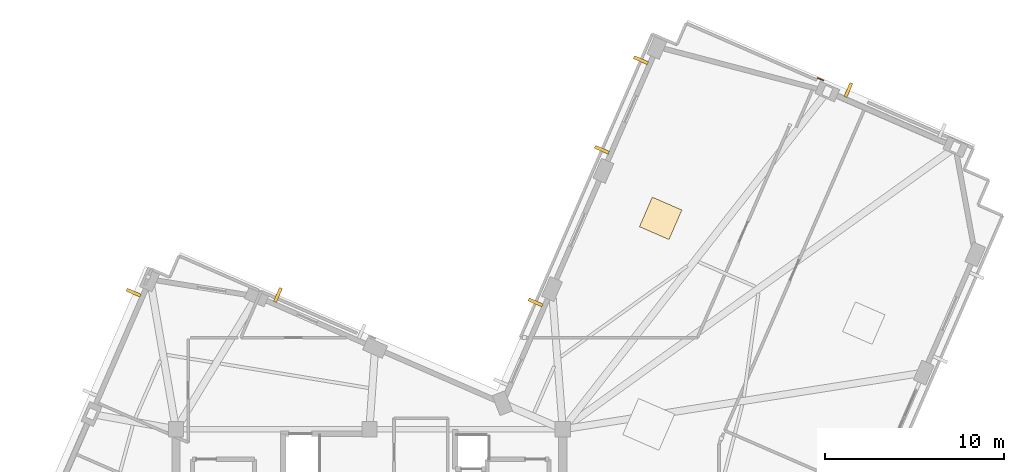
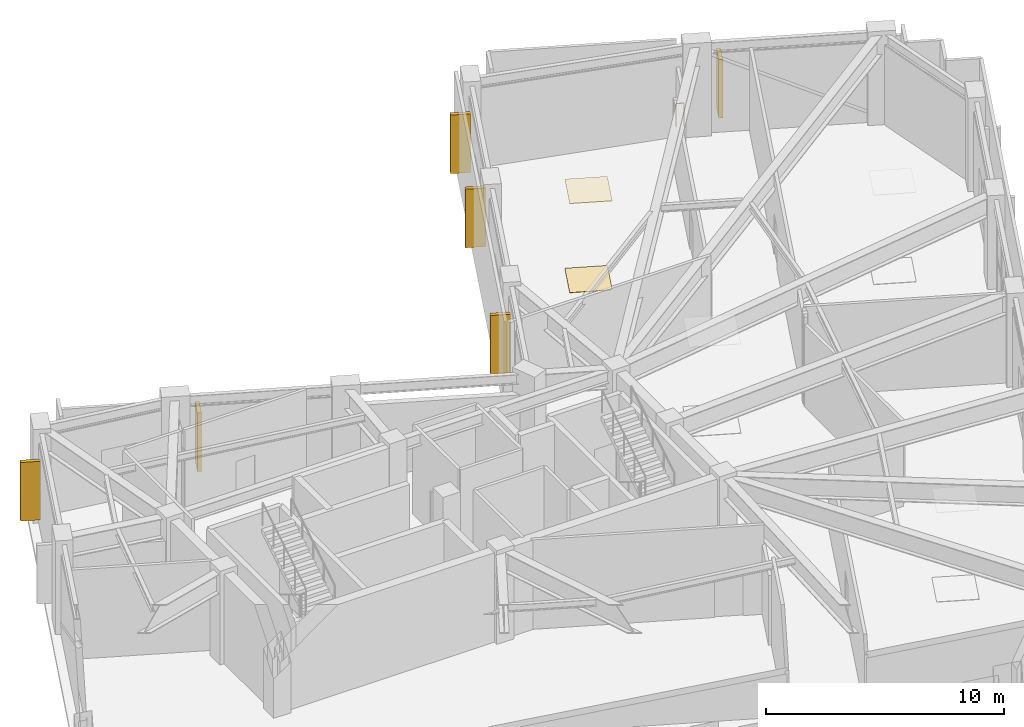
# One storey, part 10 of 11: 6 shading devices, 2 coverings, 1 railing.
"""IFC4 building model written with IfcOpenShell, lengths in metres."""

from ifc_helpers import new_model, si_unit, direction, frame, origin, origin_2d, place, context, subcontext, project, spatial, rectangle, circle, extrude, material, layer, layer_set, type_object, element, save


model = new_model("IFC4")

# Units and contexts
model_context = context("Model", 3, precision=1e-05, world=origin(), true_north=direction((0.0, 1.0)))
body_context = subcontext(model_context, "Body", "Model", "MODEL_VIEW")
ifc_project = project(units=[si_unit("LENGTHUNIT", "METRE"), si_unit("AREAUNIT", "SQUARE_METRE"), si_unit("VOLUMEUNIT", "CUBIC_METRE"), si_unit("PLANEANGLEUNIT", "RADIAN"), si_unit("MASSUNIT", "GRAM", prefix="KILO")], contexts=[model_context])

# Site, building, storey
site_placement = place(None, origin())
site = spatial("IfcSite", under=ifc_project, at=site_placement, CompositionType="ELEMENT")
building_placement = place(site_placement, origin())
building = spatial("IfcBuilding", under=site, at=building_placement, Name="Gaonmaruhae Medical Tower", CompositionType="ELEMENT")
storey_placement = place(building_placement, frame((0.0, 0.0, 328.60009765625)))
storey = spatial("IfcBuildingStorey", under=building, at=storey_placement, Name="L79", CompositionType="ELEMENT", Elevation=328.60009765625)

# Coverings
ifc_material_1 = material(Name="Acoustic mineral ceiling tile", Category="finish")
ifc_layer_1 = layer(ifc_material_1, 0.02490234375)
ifc_layer_set_1 = layer_set([ifc_layer_1], Name="Acoustic mineral ceiling tile")
covering_type_1 = type_object("IfcCoveringType", Name="CLG-01 Antimicrobial Acoustic Mineral Ceiling", PredefinedType="CEILING", material=ifc_layer_set_1)
covering_1_placement = place(storey_placement, frame((41.066162109375, 28.578857421875, 4.554931640625), z_axis=(0.0, 0.0, 1.0), x_axis=(0.398749068925, 0.917060074385, 0.0)))
element("IfcCovering", 1, at=covering_1_placement, inside=storey, type_object=covering_type_1, Name="L79 Clinical Room Acoustic Ceiling 4", PredefinedType="CEILING", context=body_context, shape_type="SweptSolid", body=[
    extrude(rectangle(XDim=1.800048828125, YDim=1.800048828125, at=origin_2d()), origin(), (0.0, 0.0, 1.0), 0.02490234375),
])
ifc_material_2 = material(Name="Seamless clinical vinyl flooring", Category="finish")
ifc_layer_2 = layer(ifc_material_2, 0.014892578125)
ifc_layer_set_2 = layer_set([ifc_layer_2], Name="Seamless clinical vinyl flooring")
covering_type_2 = type_object("IfcCoveringType", Name="FLR-01 Seamless Clinical Antistatic Vinyl Flooring", PredefinedType="FLOORING", material=ifc_layer_set_2)
covering_2_placement = place(storey_placement, frame((41.066162109375, 28.578857421875, 0.0), z_axis=(0.0, 0.0, 1.0), x_axis=(0.398749068925, 0.917060074385, 0.0)))
element("IfcCovering", 2, at=covering_2_placement, inside=storey, type_object=covering_type_2, Name="L79 Clinical Room Vinyl Flooring 4", PredefinedType="FLOORING", context=body_context, shape_type="SweptSolid", body=[
    extrude(rectangle(XDim=1.800048828125, YDim=1.800048828125, at=origin_2d()), origin(), (0.0, 0.0, 1.0), 0.014892578125),
])

# Railing
ifc_material_3 = material(Name="Stainless steel 316L and laminated safety glass", Category="steel")
ifc_layer_3 = layer(ifc_material_3, 0.080078125)
ifc_layer_set_3 = layer_set([ifc_layer_3], Name="Stainless steel 316L and laminated safety glass")
railing_type = type_object("IfcRailingType", Name="GD-120 Outdoor Terrace Safety Glass & Steel Balustrade", PredefinedType="BALUSTRADE", material=ifc_layer_set_3)
railing_placement = place(storey_placement, frame((50.146240234375, 36.284912109375, 0.0)))
element("IfcRailing", 3, at=railing_placement, inside=storey, type_object=railing_type, Name="L79 Perimeter Slab Edge Safety Balustrade 01", PredefinedType="BALUSTRADE", context=body_context, shape_type="SweptSolid", body=[
    extrude(circle(Radius=0.02392578125, at=origin_2d()), frame((0.0, 0.0, 1.17578125), z_axis=(-0.917081518132, 0.398699748056, 0.0), x_axis=(-0.398699748056, -0.917081518132, 0.0)), (0.0, 0.0, 1.0), 0.338623046875),
    extrude(circle(Radius=0.02099609375, at=origin_2d()), origin(), (0.0, 0.0, 1.0), 1.15185546875),
    extrude(circle(Radius=0.02099609375, at=origin_2d()), frame((-0.310546875, 0.135009765625, 0.0)), (0.0, 0.0, 1.0), 1.15185546875),
])

# Shading devices
ifc_material_4 = material(Name="Pigmented coral precast concrete C45/55", Category="concrete")
shading_device_type = type_object("IfcShadingDeviceType", Name="SD-FIN1 Tower Vertical Coral Precast Shading Fin", PredefinedType="USERDEFINED", material=ifc_material_4)
for number, where, z_axis, x_axis, name in (
    (4, (51.55078125, 35.7451171875, 0.532470703125), (0.0, 0.0, 1.0), (0.917060074385, -0.398749068925, 0.0), "L79 Vertical Coral Precast Shading Fin E01"),
    (5, (37.786376953125, 32.4091796875, 0.532470703125), (0.0, 0.0, 1.0), (0.398765074582, 0.917053114761, 0.0), "L79 Vertical Coral Precast Shading Fin E03"),
    (6, (39.961669921875, 37.411865234375, 0.532470703125), (0.0, 0.0, 1.0), (0.398765074582, 0.917053114761, 0.0), "L79 Vertical Coral Precast Shading Fin E03B"),
    (7, (34.080078125, 23.885009765625, 0.532470703125), (0.0, 0.0, 1.0), (0.398749068925, 0.917060074385, 0.0), "L79 Vertical Coral Precast Shading Fin EN02B"),
    (8, (19.694091796875, 24.29833984375, 0.532470703125), (0.0, 0.0, 1.0), (0.917060074385, -0.398749068925, 0.0), "L79 Vertical Coral Precast Shading Fin NE01"),
    (9, (11.6357421875, 24.429931640625, 0.532470703125), (0.0, 0.0, 1.0), (0.398749068925, 0.917060074385, 0.0), "L79 Vertical Coral Precast Shading Fin N01B"),
):
    element("IfcShadingDevice", number, at=place(storey_placement, frame(where, z_axis=z_axis, x_axis=x_axis)), inside=storey, type_object=shading_device_type, Name=name, ObjectType="FIN", PredefinedType="USERDEFINED", context=body_context, shape_type="SweptSolid", body=[
        extrude(rectangle(XDim=0.179931640625, YDim=0.85009765625, at=origin_2d()), origin(), (0.0, 0.0, 1.0), 3.0),
    ])

save(model, "model.ifc")
